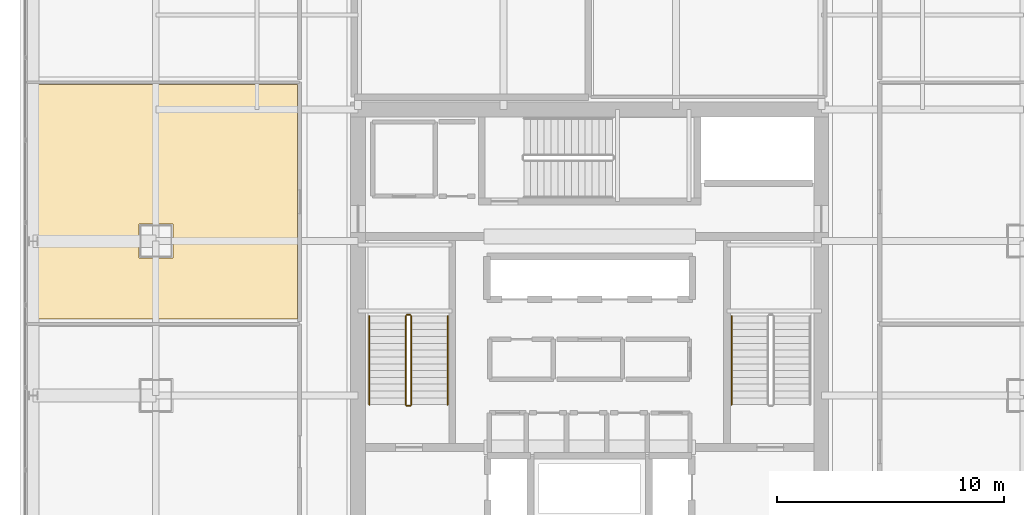
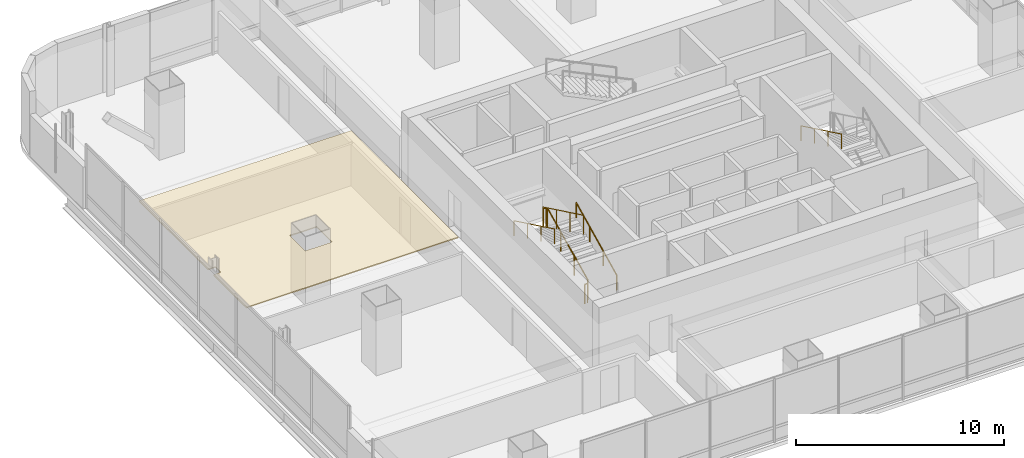
# One storey, part 40 of 47: 7 railings, 1 covering.
"""IFC4 building model written with IfcOpenShell, lengths in metres."""

from ifc_helpers import new_model, si_unit, direction, frame, origin, origin_2d, place, context, subcontext, project, spatial, polyline, circle, outline, extrude, material, layer, layer_set, type_object, element, save


model = new_model("IFC4")

# Units and contexts
model_context = context("Model", 3, precision=1e-05, world=origin(), true_north=direction((0.0, 1.0)))
body_context = subcontext(model_context, "Body", "Model", "MODEL_VIEW")
ifc_project = project(units=[si_unit("LENGTHUNIT", "METRE"), si_unit("AREAUNIT", "SQUARE_METRE"), si_unit("VOLUMEUNIT", "CUBIC_METRE"), si_unit("PLANEANGLEUNIT", "RADIAN"), si_unit("MASSUNIT", "GRAM", prefix="KILO")], contexts=[model_context])

# Site, building, storey
site_placement = place(None, origin())
site = spatial("IfcSite", under=ifc_project, at=site_placement, CompositionType="ELEMENT")
building_placement = place(site_placement, origin())
building = spatial("IfcBuilding", under=site, at=building_placement, Name="Punatoya Terracotta Tower", CompositionType="ELEMENT")
storey_placement = place(building_placement, frame((0.0, 0.0, 168.14990234375)))
storey = spatial("IfcBuildingStorey", under=building, at=storey_placement, Name="L39", CompositionType="ELEMENT", Elevation=168.14990234375)

# Covering
ifc_material_1 = material(Name="Acoustic Mineral Fibre Ceiling")
ifc_layer = layer(ifc_material_1, 0.06005859375)
ifc_layer_set = layer_set([ifc_layer], Name="Acoustic Mineral Fibre Ceiling")
covering_type = type_object("IfcCoveringType", Name="COV-CEIL-60", PredefinedType="CEILING", material=ifc_layer_set)
covering_placement = place(storey_placement, frame((0.0, 0.0, 3.22021484375)))
element("IfcCovering", 1, at=covering_placement, inside=storey, type_object=covering_type, Name="L39 Open-Plan Mindfulness Wellness Room Acoustic Ceiling", PredefinedType="CEILING", context=body_context, shape_type="SweptSolid", body=[
    extrude(outline(polyline([(-24.669921875, 3.137451171875), (-24.669921875, -0.030029296875), (-12.8701171875, -0.030029296875), (-12.8701171875, 10.300048828125), (-24.669921875, 10.300048828125), (-24.669921875, 3.66259765625), (-24.24560546875, 3.66259765625), (-24.24560546875, 3.137451171875), (-24.669921875, 3.137451171875)]), holes=[polyline([(-18.35009765625, 4.14990234375), (-18.35009765625, 2.64990234375), (-19.85009765625, 2.64990234375), (-19.85009765625, 4.14990234375), (-18.35009765625, 4.14990234375)])]), origin(), (0.0, 0.0, 1.0), 0.059814453125),
])

# Railings
ifc_material_2 = material(Name="Steel S355", Category="steel")
railing_type_1 = type_object("IfcRailingType", Name="RLG-GRD-1150", PredefinedType="GUARDRAIL", material=ifc_material_2)
railing_1_placement = place(storey_placement, frame((-7.85009765625, -3.800048828125, 0.144775390625)))
element("IfcRailing", 2, at=railing_1_placement, inside=storey, type_object=railing_type_1, Name="L39 ST-1 stair guard 1", PredefinedType="GUARDRAIL", context=body_context, shape_type="SweptSolid", body=[
    extrude(circle(Radius=0.02392578125, at=origin_2d()), frame((0.0, 0.0, 1.1259765625), z_axis=(0.0, 0.900773802044, 0.434288564841), x_axis=(-1.0, 0.0, 0.0)), (0.0, 0.0, 1.0), 4.329833984375),
    extrude(circle(Radius=0.02099609375, at=origin_2d()), origin(), (0.0, 0.0, 1.0), 1.101806640625),
    extrude(circle(Radius=0.02099609375, at=origin_2d()), frame((0.0, 1.300048828125, 0.626708984375)), (0.0, 0.0, 1.0), 1.101806640625),
    extrude(circle(Radius=0.02099609375, at=origin_2d()), frame((0.0, 2.60009765625, 1.253662109375)), (0.0, 0.0, 1.0), 1.101806640625),
    extrude(circle(Radius=0.02099609375, at=origin_2d()), frame((0.0, 3.900146484375, 1.88037109375)), (0.0, 0.0, 1.0), 1.101806640625),
])
railing_2_placement = place(storey_placement, frame((-7.89990234375, 0.14990234375, 2.025146484375)))
element("IfcRailing", 3, at=railing_2_placement, inside=storey, type_object=railing_type_1, Name="L39 ST-1 stair guard 2", PredefinedType="GUARDRAIL", context=body_context, shape_type="SweptSolid", body=[
    extrude(circle(Radius=0.02392578125, at=origin_2d()), frame((0.0, 0.0, 1.1259765625), z_axis=(-1.0, 0.0, 0.0), x_axis=(0.0, -1.0, 0.0)), (0.0, 0.0, 1.0), 0.150146484375),
    extrude(circle(Radius=0.02099609375, at=origin_2d()), origin(), (0.0, 0.0, 1.0), 1.101806640625),
    extrude(circle(Radius=0.02099609375, at=origin_2d()), frame((-0.150146484375, 0.0, 0.0)), (0.0, 0.0, 1.0), 1.101806640625),
])
railing_3_placement = place(storey_placement, frame((-8.10009765625, 0.10009765625, 2.169677734375)))
element("IfcRailing", 4, at=railing_3_placement, inside=storey, type_object=railing_type_1, Name="L39 ST-1 stair guard 3", PredefinedType="GUARDRAIL", context=body_context, shape_type="SweptSolid", body=[
    extrude(circle(Radius=0.02392578125, at=origin_2d()), frame((0.0, 0.0, 1.1259765625), z_axis=(0.0, -0.900773802044, 0.434288564841), x_axis=(1.0, 0.0, 0.0)), (0.0, 0.0, 1.0), 4.329833984375),
    extrude(circle(Radius=0.02099609375, at=origin_2d()), origin(), (0.0, 0.0, 1.0), 1.101806640625),
    extrude(circle(Radius=0.02099609375, at=origin_2d()), frame((0.0, -1.300048828125, 0.626708984375)), (0.0, 0.0, 1.0), 1.101806640625),
    extrude(circle(Radius=0.02099609375, at=origin_2d()), frame((0.0, -2.60009765625, 1.253662109375)), (0.0, 0.0, 1.0), 1.101806640625),
    extrude(circle(Radius=0.02099609375, at=origin_2d()), frame((0.0, -3.900146484375, 1.88037109375)), (0.0, 0.0, 1.0), 1.101806640625),
])
railing_4_placement = place(storey_placement, frame((-7.89990234375, -3.85009765625, 0.0)))
element("IfcRailing", 5, at=railing_4_placement, inside=storey, type_object=railing_type_1, Name="L39 ST-1 stair guard 4", PredefinedType="GUARDRAIL", context=body_context, shape_type="SweptSolid", body=[
    extrude(circle(Radius=0.02392578125, at=origin_2d()), frame((0.0, 0.0, 1.1259765625), z_axis=(-1.0, 0.0, 0.0), x_axis=(0.0, -1.0, 0.0)), (0.0, 0.0, 1.0), 0.150146484375),
    extrude(circle(Radius=0.02099609375, at=origin_2d()), origin(), (0.0, 0.0, 1.0), 1.101806640625),
    extrude(circle(Radius=0.02099609375, at=origin_2d()), frame((-0.150146484375, 0.0, 0.0)), (0.0, 0.0, 1.0), 1.101806640625),
])
railing_type_2 = type_object("IfcRailingType", Name="RLG-HND-900", PredefinedType="HANDRAIL", material=ifc_material_2)
railing_5_placement = place(storey_placement, frame((-6.25, -3.800048828125, 0.144775390625)))
element("IfcRailing", 6, at=railing_5_placement, inside=storey, type_object=railing_type_2, Name="L39 ST-1 stair handrail 1", PredefinedType="HANDRAIL", context=body_context, shape_type="SweptSolid", body=[
    extrude(circle(Radius=0.02392578125, at=origin_2d()), frame((0.0, 0.0, 0.8759765625), z_axis=(0.0, 0.900773802044, 0.434288564841), x_axis=(-1.0, 0.0, 0.0)), (0.0, 0.0, 1.0), 4.329833984375),
    extrude(circle(Radius=0.02099609375, at=origin_2d()), origin(), (0.0, 0.0, 1.0), 0.851806640625),
    extrude(circle(Radius=0.02099609375, at=origin_2d()), frame((0.0, 1.300048828125, 0.626708984375)), (0.0, 0.0, 1.0), 0.851806640625),
    extrude(circle(Radius=0.02099609375, at=origin_2d()), frame((0.0, 2.60009765625, 1.253662109375)), (0.0, 0.0, 1.0), 0.851806640625),
    extrude(circle(Radius=0.02099609375, at=origin_2d()), frame((0.0, 3.900146484375, 1.88037109375)), (0.0, 0.0, 1.0), 0.851806640625),
])
for number, where, name in (
    (7, (-9.699951171875, 0.10009765625, 2.169677734375), "L39 ST-1 stair handrail 2"),
    (8, (6.25, 0.10009765625, 2.169677734375), "L39 ST-2 stair handrail 2"),
):
    element("IfcRailing", number, at=place(storey_placement, frame(where)), inside=storey, type_object=railing_type_2, Name=name, PredefinedType="HANDRAIL", context=body_context, shape_type="SweptSolid", body=[
        extrude(circle(Radius=0.02392578125, at=origin_2d()), frame((0.0, 0.0, 0.8759765625), z_axis=(0.0, -0.900773802044, 0.434288564841), x_axis=(1.0, 0.0, 0.0)), (0.0, 0.0, 1.0), 4.329833984375),
        extrude(circle(Radius=0.02099609375, at=origin_2d()), origin(), (0.0, 0.0, 1.0), 0.851806640625),
        extrude(circle(Radius=0.02099609375, at=origin_2d()), frame((0.0, -1.300048828125, 0.626708984375)), (0.0, 0.0, 1.0), 0.851806640625),
        extrude(circle(Radius=0.02099609375, at=origin_2d()), frame((0.0, -2.60009765625, 1.253662109375)), (0.0, 0.0, 1.0), 0.851806640625),
        extrude(circle(Radius=0.02099609375, at=origin_2d()), frame((0.0, -3.900146484375, 1.88037109375)), (0.0, 0.0, 1.0), 0.851806640625),
    ])

save(model, "model.ifc")
